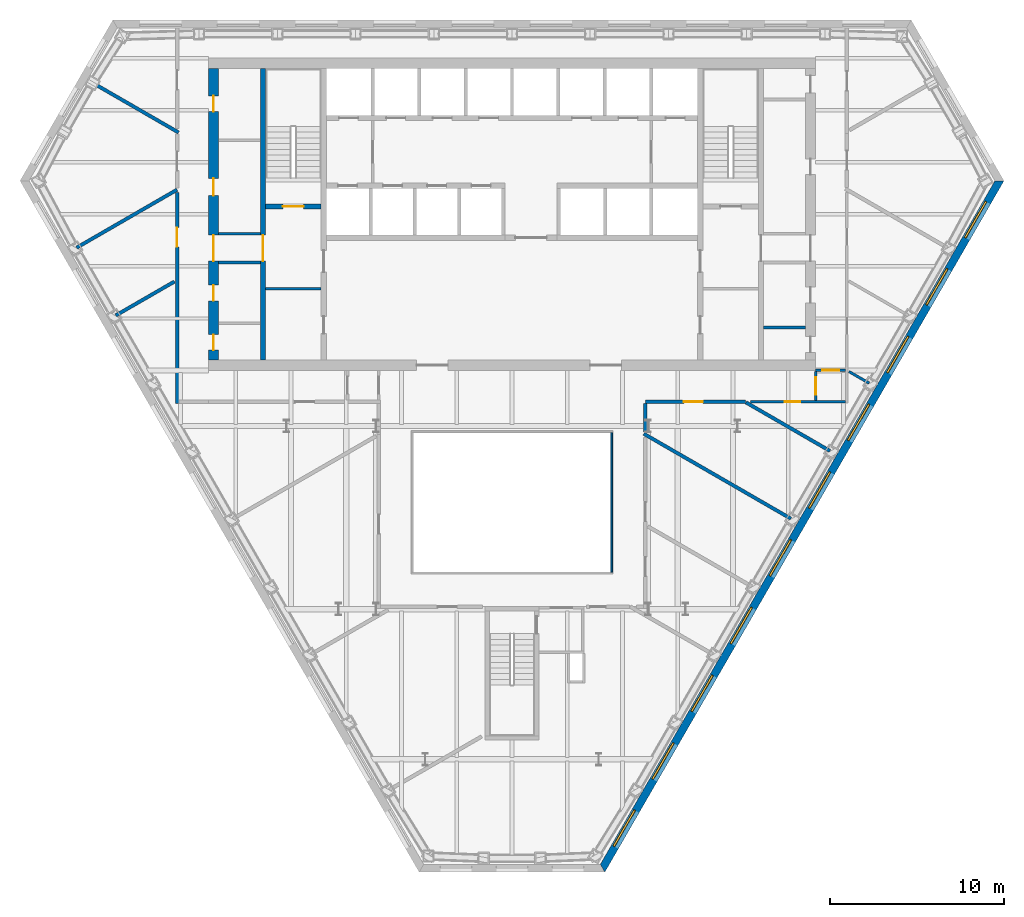
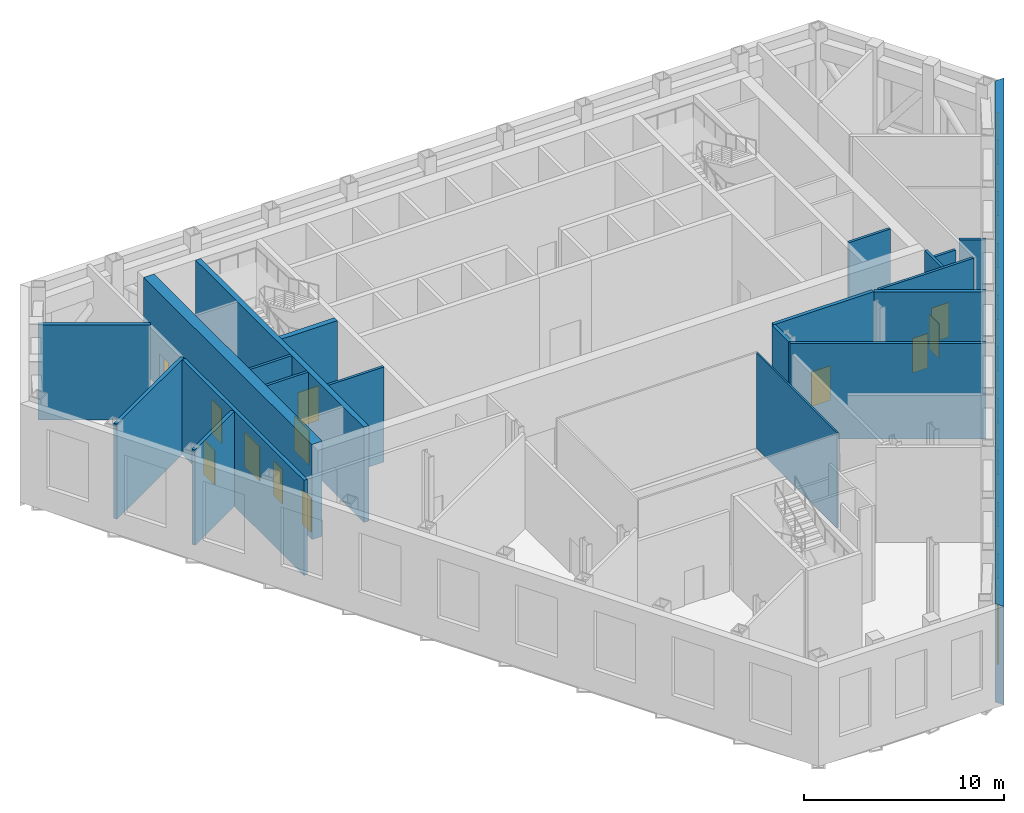
# One storey, part 8 of 14: 21 walls, 12 doors, 10 shading devices, 22 openings.
"""IFC4 building model written with IfcOpenShell, lengths in metres."""

from ifc_helpers import new_model, si_unit, direction, frame, frame_2d, origin, place, context, subcontext, project, spatial, polyline, rectangle, outline, extrude, material, layer, layer_set, type_object, element, fill, save


model = new_model("IFC4")

# Units and contexts
model_context = context("Model", 3, precision=1e-05, world=origin(), true_north=direction((0.0, 1.0)))
body_context = subcontext(model_context, "Body", "Model", "MODEL_VIEW")
ifc_project = project(units=[si_unit("LENGTHUNIT", "METRE"), si_unit("AREAUNIT", "SQUARE_METRE"), si_unit("VOLUMEUNIT", "CUBIC_METRE"), si_unit("PLANEANGLEUNIT", "RADIAN"), si_unit("MASSUNIT", "GRAM", prefix="KILO")], contexts=[model_context])

# Site, building, storey
site_placement = place(None, origin())
site = spatial("IfcSite", under=ifc_project, at=site_placement, CompositionType="ELEMENT")
building_placement = place(site_placement, origin())
building = spatial("IfcBuilding", under=site, at=building_placement, Name="Njiva Tower", CompositionType="ELEMENT")
storey_placement = place(building_placement, frame((0.0, 0.0, 78.3)))
storey = spatial("IfcBuildingStorey", under=building, at=storey_placement, Name="L16", CompositionType="ELEMENT", Elevation=78.3)

# Wall
ifc_material_1 = material(Name="Blockwork", Category="masonry")
ifc_layer_1 = layer(ifc_material_1, 0.15)
ifc_layer_set_1 = layer_set([ifc_layer_1], Name="Blockwork")
wall_type_1 = type_object("IfcWallType", Name="WT1 Compartment partition 150", PredefinedType="PARTITIONING", material=ifc_layer_set_1)
wall_1_placement = place(storey_placement, frame((-14.2, 4.725, 0.0), z_axis=(0.0, 0.0, 1.0), x_axis=(1.0, 0.0, 0.0)))
element("IfcWall", 1, at=wall_1_placement, inside=storey, type_object=wall_type_1, Name="Room wall A", PredefinedType="PARTITIONING", context=body_context, shape_type="SweptSolid", body=[
    extrude(rectangle(XDim=3.2, YDim=0.15, at=frame_2d((1.6, 0.0))), origin(), (0.0, 0.0, 1.0), 5.8),
])

# Wall, opening, door
ifc_material_2 = material(Name="Concrete C40/50", Category="concrete")
ifc_layer_2 = layer(ifc_material_2, 0.3)
ifc_layer_set_2 = layer_set([ifc_layer_2], Name="Concrete C40/50")
wall_type_2 = type_object("IfcWallType", Name="WT10 Stair enclosure wall 300", PredefinedType="SHEAR", material=ifc_layer_set_2)
wall_2_placement = place(storey_placement, frame((-14.35, 0.6, 0.0), z_axis=(0.0, 0.0, 1.0), x_axis=(0.0, 1.0, 0.0)))
wall_2 = element("IfcWall", 2, at=wall_2_placement, inside=storey, type_object=wall_type_2, Name="Stair wall west outer", PredefinedType="SHEAR", context=body_context, shape_type="SweptSolid", body=[
    extrude(rectangle(XDim=16.8, YDim=0.3, at=frame_2d((8.4, 0.0))), origin(), (0.0, 0.0, 1.0), 5.8),
])
opening_1_placement = place(wall_2_placement, frame((5.7, 0.0, 0.0)))
opening_1 = element("IfcOpeningElement", 3, at=opening_1_placement, cuts=wall_2, Name="Opening T1-D920", PredefinedType="OPENING", context=body_context, shape_type="SweptSolid", body=[
    extrude(rectangle(XDim=1.5, YDim=2.1, at=frame_2d((0.75, 1.05))), frame((0.0, 0.16, 0.0), z_axis=(0.0, -1.0, 0.0), x_axis=(1.0, 0.0, 0.0)), (0.0, 0.0, 1.0), 0.32),
])
ifc_material_3 = material(Name="Glazed steel fire door", Category="steel")
door_type_1 = type_object("IfcDoorType", Name="D10 Exit door double 1500x2100 glazed", OperationType="DOUBLE_DOOR_SINGLE_SWING", PredefinedType="DOOR", material=ifc_material_3)
door_1_placement = place(opening_1_placement, origin())
door_1 = element("IfcDoor", 4, at=door_1_placement, inside=storey, type_object=door_type_1, Name="Stair A passage door", OperationType="DOUBLE_DOOR_SINGLE_SWING", OverallHeight=2.1, OverallWidth=1.5, PredefinedType="DOOR", context=body_context, shape_type="SweptSolid", body=[
    extrude(rectangle(XDim=1.5, YDim=2.1, at=frame_2d((0.75, 1.05))), frame((0.0, 0.025, 0.0), z_axis=(0.0, -1.0, 0.0), x_axis=(1.0, 0.0, 0.0)), (0.0, 0.0, 1.0), 0.05),
])
fill(opening_1, door_1)

wall_3_placement = place(storey_placement, frame((-14.2, 9.45, 0.0), z_axis=(0.0, 0.0, 1.0), x_axis=(1.0, 0.0, 0.0)))
wall_3 = element("IfcWall", 5, at=wall_3_placement, inside=storey, type_object=wall_type_2, Name="Stair A south wall", PredefinedType="SHEAR", context=body_context, shape_type="SweptSolid", body=[
    extrude(rectangle(XDim=3.2, YDim=0.3, at=frame_2d((1.6, 0.0))), origin(), (0.0, 0.0, 1.0), 5.8),
])
opening_2_placement = place(wall_3_placement, frame((1.0, 0.0, 0.0)))
opening_2 = element("IfcOpeningElement", 6, at=opening_2_placement, cuts=wall_3, Name="Opening T1-D913", PredefinedType="OPENING", context=body_context, shape_type="SweptSolid", body=[
    extrude(rectangle(XDim=1.2, YDim=2.1, at=frame_2d((0.6, 1.05))), frame((0.0, 0.16, 0.0), z_axis=(0.0, -1.0, 0.0), x_axis=(1.0, 0.0, 0.0)), (0.0, 0.0, 1.0), 0.32),
])
door_type_2 = type_object("IfcDoorType", Name="D7 Stair vestibule door 1200x2100 glazed", OperationType="SINGLE_SWING_LEFT", PredefinedType="DOOR", material=ifc_material_3)
door_2_placement = place(opening_2_placement, origin())
door_2 = element("IfcDoor", 7, at=door_2_placement, inside=storey, type_object=door_type_2, Name="Stair A door", OperationType="SINGLE_SWING_LEFT", OverallHeight=2.1, OverallWidth=1.2, PredefinedType="DOOR", context=body_context, shape_type="SweptSolid", body=[
    extrude(rectangle(XDim=1.2, YDim=2.1, at=frame_2d((0.6, 1.05))), frame((0.0, 0.025, 0.0), z_axis=(0.0, -1.0, 0.0), x_axis=(1.0, 0.0, 0.0)), (0.0, 0.0, 1.0), 0.05),
])
fill(opening_2, door_2)

# Wall, openings, doors
ifc_material_4 = material(Name="Concrete C60/75", Category="concrete")
ifc_layer_3 = layer(ifc_material_4, 0.6)
ifc_layer_set_3 = layer_set([ifc_layer_3], Name="Concrete C60/75")
wall_type_3 = type_object("IfcWallType", Name="WT15 Core wall 600", PredefinedType="SHEAR", material=ifc_layer_set_3)
wall_4_placement = place(storey_placement, frame((-17.2, 0.6, 0.0), z_axis=(0.0, 0.0, 1.0), x_axis=(0.0, 1.0, 0.0)))
wall_4 = element("IfcWall", 8, at=wall_4_placement, inside=storey, type_object=wall_type_3, Name="Core wall west", PredefinedType="SHEAR", context=body_context, shape_type="SweptSolid", body=[
    extrude(rectangle(XDim=16.8, YDim=0.6, at=frame_2d((8.4, 0.0))), origin(), (0.0, 0.0, 1.0), 5.8),
])
opening_3_placement = place(wall_4_placement, frame((5.7, 0.0, 0.0)))
opening_3 = element("IfcOpeningElement", 9, at=opening_3_placement, cuts=wall_4, Name="Opening T1-D921", PredefinedType="OPENING", context=body_context, shape_type="SweptSolid", body=[
    extrude(rectangle(XDim=1.5, YDim=2.1, at=frame_2d((0.75, 1.05))), frame((0.0, 0.31, 0.0), z_axis=(0.0, -1.0, 0.0), x_axis=(1.0, 0.0, 0.0)), (0.0, 0.0, 1.0), 0.62),
])
opening_4_placement = place(wall_4_placement, frame((0.5713, 0.0, 0.0)))
opening_4 = element("IfcOpeningElement", 10, at=opening_4_placement, cuts=wall_4, Name="Opening T1-D922", PredefinedType="OPENING", context=body_context, shape_type="SweptSolid", body=[
    extrude(rectangle(XDim=0.9, YDim=2.1, at=frame_2d((0.45, 1.05))), frame((0.0, 0.31, 0.0), z_axis=(0.0, -1.0, 0.0), x_axis=(1.0, 0.0, 0.0)), (0.0, 0.0, 1.0), 0.62),
])
opening_5_placement = place(wall_4_placement, frame((3.4213, 0.0, 0.0)))
opening_5 = element("IfcOpeningElement", 11, at=opening_5_placement, cuts=wall_4, Name="Opening T1-D923", PredefinedType="OPENING", context=body_context, shape_type="SweptSolid", body=[
    extrude(rectangle(XDim=0.9, YDim=2.1, at=frame_2d((0.45, 1.05))), frame((0.0, 0.31, 0.0), z_axis=(0.0, -1.0, 0.0), x_axis=(1.0, 0.0, 0.0)), (0.0, 0.0, 1.0), 0.62),
])
opening_6_placement = place(wall_4_placement, frame((9.4731, 0.0, 0.0)))
opening_6 = element("IfcOpeningElement", 12, at=opening_6_placement, cuts=wall_4, Name="Opening T1-D924", PredefinedType="OPENING", context=body_context, shape_type="SweptSolid", body=[
    extrude(rectangle(XDim=1.0, YDim=2.1, at=frame_2d((0.5, 1.05))), frame((0.0, 0.31, 0.0), z_axis=(0.0, -1.0, 0.0), x_axis=(1.0, 0.0, 0.0)), (0.0, 0.0, 1.0), 0.62),
])
opening_7_placement = place(wall_4_placement, frame((14.3231, 0.0, 0.0)))
opening_7 = element("IfcOpeningElement", 13, at=opening_7_placement, cuts=wall_4, Name="Opening T1-D925", PredefinedType="OPENING", context=body_context, shape_type="SweptSolid", body=[
    extrude(rectangle(XDim=0.9, YDim=2.1, at=frame_2d((0.45, 1.05))), frame((0.0, 0.31, 0.0), z_axis=(0.0, -1.0, 0.0), x_axis=(1.0, 0.0, 0.0)), (0.0, 0.0, 1.0), 0.62),
])
door_3_placement = place(opening_3_placement, origin())
door_3 = element("IfcDoor", 14, at=door_3_placement, inside=storey, type_object=door_type_1, Name="Stair A corridor door", OperationType="DOUBLE_DOOR_SINGLE_SWING", OverallHeight=2.1, OverallWidth=1.5, PredefinedType="DOOR", context=body_context, shape_type="SweptSolid", body=[
    extrude(rectangle(XDim=1.5, YDim=2.1, at=frame_2d((0.75, 1.05))), frame((0.0, 0.025, 0.0), z_axis=(0.0, -1.0, 0.0), x_axis=(1.0, 0.0, 0.0)), (0.0, 0.0, 1.0), 0.05),
])
fill(opening_3, door_3)
ifc_material_5 = material(Name="Steel door, painted", Category="steel")
door_type_3 = type_object("IfcDoorType", Name="D4 Riser door 900x2100", OperationType="SINGLE_SWING_LEFT", PredefinedType="DOOR", material=ifc_material_5)
door_4_placement = place(opening_7_placement, origin())
door_4 = element("IfcDoor", 15, at=door_4_placement, inside=storey, type_object=door_type_3, Name="Mechanical riser door", OperationType="SINGLE_SWING_LEFT", OverallHeight=2.1, OverallWidth=0.9, PredefinedType="DOOR", context=body_context, shape_type="SweptSolid", body=[
    extrude(rectangle(XDim=0.9, YDim=2.1, at=frame_2d((0.45, 1.05))), frame((0.0, 0.025, 0.0), z_axis=(0.0, -1.0, 0.0), x_axis=(1.0, 0.0, 0.0)), (0.0, 0.0, 1.0), 0.05),
])
fill(opening_7, door_4)
door_type_4 = type_object("IfcDoorType", Name="D5 Steel door 1000x2100", OperationType="SINGLE_SWING_LEFT", PredefinedType="DOOR", material=ifc_material_5)
door_5_placement = place(opening_6_placement, origin())
door_5 = element("IfcDoor", 16, at=door_5_placement, inside=storey, type_object=door_type_4, Name="Electrical plant room door", OperationType="SINGLE_SWING_RIGHT", OverallHeight=2.1, OverallWidth=1.0, PredefinedType="DOOR", context=body_context, shape_type="SweptSolid", body=[
    extrude(rectangle(XDim=1.0, YDim=2.1, at=frame_2d((0.5, 1.05))), frame((0.0, 0.025, 0.0), z_axis=(0.0, -1.0, 0.0), x_axis=(1.0, 0.0, 0.0)), (0.0, 0.0, 1.0), 0.05),
])
fill(opening_6, door_5)
ifc_material_6 = material(Name="Steel fire door, painted", Category="steel")
door_type_5 = type_object("IfcDoorType", Name="D6 Fire-rated door 900x2100", OperationType="SINGLE_SWING_LEFT", PredefinedType="DOOR", material=ifc_material_6)
door_6_placement = place(opening_4_placement, origin())
door_6 = element("IfcDoor", 17, at=door_6_placement, inside=storey, type_object=door_type_5, Name="Cable plant store door", OperationType="SINGLE_SWING_LEFT", OverallHeight=2.1, OverallWidth=0.9, PredefinedType="DOOR", context=body_context, shape_type="SweptSolid", body=[
    extrude(rectangle(XDim=0.9, YDim=2.1, at=frame_2d((0.45, 1.05))), frame((0.0, 0.025, 0.0), z_axis=(0.0, -1.0, 0.0), x_axis=(1.0, 0.0, 0.0)), (0.0, 0.0, 1.0), 0.05),
])
fill(opening_4, door_6)
door_7_placement = place(opening_5_placement, origin())
door_7 = element("IfcDoor", 18, at=door_7_placement, inside=storey, type_object=door_type_5, Name="Plant room door", OperationType="SINGLE_SWING_LEFT", OverallHeight=2.1, OverallWidth=0.9, PredefinedType="DOOR", context=body_context, shape_type="SweptSolid", body=[
    extrude(rectangle(XDim=0.9, YDim=2.1, at=frame_2d((0.45, 1.05))), frame((0.0, 0.025, 0.0), z_axis=(0.0, -1.0, 0.0), x_axis=(1.0, 0.0, 0.0)), (0.0, 0.0, 1.0), 0.05),
])
fill(opening_5, door_7)

# Wall, opening, door
ifc_material_7 = material(Name="Gypsum board on steel studs", Category="gypsum")
ifc_layer_4 = layer(ifc_material_7, 0.15)
ifc_layer_set_4 = layer_set([ifc_layer_4], Name="Gypsum board on steel studs")
wall_type_4 = type_object("IfcWallType", Name="WT21 Compartment wall 150", PredefinedType="PARTITIONING", material=ifc_layer_set_4)
wall_5_placement = place(storey_placement, frame((17.5, -1.725, 0.0), z_axis=(0.0, 0.0, 1.0), x_axis=(0.0, 1.0, 0.0)))
wall_5 = element("IfcWall", 19, at=wall_5_placement, inside=storey, type_object=wall_type_4, Name="Partition T1-P028", PredefinedType="PARTITIONING", context=body_context, shape_type="SweptSolid", body=[
    extrude(rectangle(XDim=1.662, YDim=0.15, at=frame_2d((0.831, 0.0))), origin(), (0.0, 0.0, 1.0), 5.8),
])
opening_8_placement = place(wall_5_placement, frame((0.331, 0.0, 0.0)))
opening_8 = element("IfcOpeningElement", 20, at=opening_8_placement, cuts=wall_5, Name="Opening T1-D014", PredefinedType="OPENING", context=body_context, shape_type="SweptSolid", body=[
    extrude(rectangle(XDim=1.0, YDim=2.1, at=frame_2d((0.5, 1.05))), frame((0.0, 0.085, 0.0), z_axis=(0.0, -1.0, 0.0), x_axis=(1.0, 0.0, 0.0)), (0.0, 0.0, 1.0), 0.17),
])
ifc_material_8 = material(Name="Steel fire door set", Category="steel")
door_type_6 = type_object("IfcDoorType", Name="D37 Fire door 1000x2100", OperationType="SINGLE_SWING_LEFT", PredefinedType="DOOR", material=ifc_material_8)
door_8_placement = place(opening_8_placement, origin())
door_8 = element("IfcDoor", 21, at=door_8_placement, inside=storey, type_object=door_type_6, Name="Door T1-D014", OperationType="SINGLE_SWING_RIGHT", OverallHeight=2.1, OverallWidth=1.0, PredefinedType="DOOR", context=body_context, shape_type="SweptSolid", body=[
    extrude(rectangle(XDim=1.0, YDim=2.1, at=frame_2d((0.5, 1.05))), frame((0.0, 0.025, 0.0), z_axis=(0.0, -1.0, 0.0), x_axis=(1.0, 0.0, 0.0)), (0.0, 0.0, 1.0), 0.05),
])
fill(opening_8, door_8)

wall_6_placement = place(storey_placement, frame((17.5, 0.012, 0.0), z_axis=(0.0, 0.0, 1.0), x_axis=(1.0, 0.0, 0.0)))
wall_6 = element("IfcWall", 22, at=wall_6_placement, inside=storey, type_object=wall_type_4, Name="Partition T1-P029", PredefinedType="PARTITIONING", context=body_context, shape_type="SweptSolid", body=[
    extrude(rectangle(XDim=1.725, YDim=0.15, at=frame_2d((0.8625, 0.0))), origin(), (0.0, 0.0, 1.0), 5.2),
])
opening_9_placement = place(wall_6_placement, frame((0.363, 0.0, 0.0)))
opening_9 = element("IfcOpeningElement", 23, at=opening_9_placement, cuts=wall_6, Name="Opening T1-D015", PredefinedType="OPENING", context=body_context, shape_type="SweptSolid", body=[
    extrude(rectangle(XDim=1.0, YDim=2.1, at=frame_2d((0.5, 1.05))), frame((0.0, 0.085, 0.0), z_axis=(0.0, -1.0, 0.0), x_axis=(1.0, 0.0, 0.0)), (0.0, 0.0, 1.0), 0.17),
])
door_9_placement = place(opening_9_placement, origin())
door_9 = element("IfcDoor", 24, at=door_9_placement, inside=storey, type_object=door_type_6, Name="Door T1-D015", OperationType="SINGLE_SWING_LEFT", OverallHeight=2.1, OverallWidth=1.0, PredefinedType="DOOR", context=body_context, shape_type="SweptSolid", body=[
    extrude(rectangle(XDim=1.0, YDim=2.1, at=frame_2d((0.5, 1.05))), frame((0.0, 0.025, 0.0), z_axis=(0.0, -1.0, 0.0), x_axis=(1.0, 0.0, 0.0)), (0.0, 0.0, 1.0), 0.05),
])
fill(opening_9, door_9)

# Wall
ifc_layer_5 = layer(ifc_material_1, 0.2)
ifc_layer_set_5 = layer_set([ifc_layer_5], Name="Blockwork")
wall_type_5 = type_object("IfcWallType", Name="WT22 Plant room wall 200", PredefinedType="PARTITIONING", material=ifc_layer_set_5)
wall_7_placement = place(storey_placement, frame((-22.832, 3.176, 0.0), z_axis=(0.0, 0.0, 1.0), x_axis=(0.86609177584, 0.499885022602, 0.0)))
element("IfcWall", 25, at=wall_7_placement, inside=storey, type_object=wall_type_5, Name="Partition T1-P003", PredefinedType="PARTITIONING", context=body_context, shape_type="SweptSolid", body=[
    extrude(rectangle(XDim=3.9049, YDim=0.2, at=frame_2d((1.9524, 0.0))), origin(), (0.0, 0.0, 1.0), 5.8),
])

# Wall, opening, door
wall_8_placement = place(storey_placement, frame((-19.3, -1.899, 0.0), z_axis=(0.0, 0.0, 1.0), x_axis=(0.0, 1.0, 0.0)))
wall_8 = element("IfcWall", 26, at=wall_8_placement, inside=storey, type_object=wall_type_5, Name="Partition T1-P004", PredefinedType="PARTITIONING", context=body_context, shape_type="SweptSolid", body=[
    extrude(rectangle(XDim=12.147, YDim=0.2, at=frame_2d((6.0735, 0.0))), origin(), (0.0, 0.0, 1.0), 5.8),
])
opening_10_placement = place(wall_8_placement, frame((9.03, 0.0, 0.0)))
opening_10 = element("IfcOpeningElement", 27, at=opening_10_placement, cuts=wall_8, Name="Opening T1-D001", PredefinedType="OPENING", context=body_context, shape_type="SweptSolid", body=[
    extrude(rectangle(XDim=1.1, YDim=2.1, at=frame_2d((0.55, 1.05))), frame((0.0, 0.11, 0.0), z_axis=(0.0, -1.0, 0.0), x_axis=(1.0, 0.0, 0.0)), (0.0, 0.0, 1.0), 0.22),
])
ifc_material_9 = material(Name="Steel door set", Category="steel")
door_type_7 = type_object("IfcDoorType", Name="D34 Plant door 1100x2100", OperationType="SINGLE_SWING_LEFT", PredefinedType="DOOR", material=ifc_material_9)
door_10_placement = place(opening_10_placement, origin())
door_10 = element("IfcDoor", 28, at=door_10_placement, inside=storey, type_object=door_type_7, Name="Door T1-D001", OperationType="SINGLE_SWING_LEFT", OverallHeight=2.1, OverallWidth=1.1, PredefinedType="DOOR", context=body_context, shape_type="SweptSolid", body=[
    extrude(rectangle(XDim=1.1, YDim=2.1, at=frame_2d((0.55, 1.05))), frame((0.0, 0.025, 0.0), z_axis=(0.0, -1.0, 0.0), x_axis=(1.0, 0.0, 0.0)), (0.0, 0.0, 1.0), 0.05),
])
fill(opening_10, door_10)

# Walls
ifc_layer_6 = layer(ifc_material_1, 0.2)
ifc_layer_set_6 = layer_set([ifc_layer_6], Name="Blockwork")
wall_type_6 = type_object("IfcWallType", Name="WT23 Refuge wall 200", PredefinedType="PARTITIONING", material=ifc_layer_set_6)
wall_9_placement = place(storey_placement, frame((-25.086, 7.081, 0.0), z_axis=(0.0, 0.0, 1.0), x_axis=(0.866023543838, 0.500003221507, 0.0)))
element("IfcWall", 29, at=wall_9_placement, inside=storey, type_object=wall_type_6, Name="Partition T1-P001", PredefinedType="PARTITIONING", context=body_context, shape_type="SweptSolid", body=[
    extrude(rectangle(XDim=6.68, YDim=0.2, at=frame_2d((3.34, 0.0))), origin(), (0.0, 0.0, 1.0), 5.8),
])
wall_10_placement = place(storey_placement, frame((-24.081, 16.528, 0.0), z_axis=(0.0, 0.0, 1.0), x_axis=(0.866144113061, -0.499794333112, 0.0)))
element("IfcWall", 30, at=wall_10_placement, inside=storey, type_object=wall_type_6, Name="Partition T1-P002", PredefinedType="PARTITIONING", context=body_context, shape_type="SweptSolid", body=[
    extrude(rectangle(XDim=5.6203, YDim=0.2, at=frame_2d((2.8102, 0.0))), origin(), (0.0, 0.0, 1.0), 5.8),
])
wall_11_placement = place(storey_placement, frame((7.593, -3.641, 0.0), z_axis=(0.0, 0.0, 1.0), x_axis=(0.866059708757, -0.499940577336, 0.0)))
element("IfcWall", 31, at=wall_11_placement, inside=storey, type_object=wall_type_6, Name="Partition T1-P021", PredefinedType="PARTITIONING", context=body_context, shape_type="SweptSolid", body=[
    extrude(rectangle(XDim=9.7892, YDim=0.2, at=frame_2d((4.8946, 0.0))), origin(), (0.0, 0.0, 1.0), 5.8),
])
wall_12_placement = place(storey_placement, frame((7.68, -3.554, 0.0), z_axis=(0.0, 0.0, 1.0), x_axis=(0.0, 1.0, 0.0)))
element("IfcWall", 32, at=wall_12_placement, inside=storey, type_object=wall_type_6, Name="Partition T1-P023", PredefinedType="PARTITIONING", context=body_context, shape_type="SweptSolid", body=[
    extrude(rectangle(XDim=1.654, YDim=0.2, at=frame_2d((0.827, 0.0))), origin(), (0.0, 0.0, 1.0), 5.8),
])

# Wall, opening, door
wall_13_placement = place(storey_placement, frame((7.68, -1.8, 0.0), z_axis=(0.0, 0.0, 1.0), x_axis=(1.0, 0.0, 0.0)))
wall_13 = element("IfcWall", 33, at=wall_13_placement, inside=storey, type_object=wall_type_6, Name="Partition T1-P024", PredefinedType="PARTITIONING", context=body_context, shape_type="SweptSolid", body=[
    extrude(rectangle(XDim=5.763, YDim=0.2, at=frame_2d((2.8815, 0.0))), origin(), (0.0, 0.0, 1.0), 5.8),
])
opening_11_placement = place(wall_13_placement, frame((2.219, 0.0, 0.0)))
opening_11 = element("IfcOpeningElement", 34, at=opening_11_placement, cuts=wall_13, Name="Opening T1-D012", PredefinedType="OPENING", context=body_context, shape_type="SweptSolid", body=[
    extrude(rectangle(XDim=1.1, YDim=2.1, at=frame_2d((0.55, 1.05))), frame((0.0, 0.11, 0.0), z_axis=(0.0, -1.0, 0.0), x_axis=(1.0, 0.0, 0.0)), (0.0, 0.0, 1.0), 0.22),
])
door_type_8 = type_object("IfcDoorType", Name="D35 Refuge door 1100x2100", OperationType="SINGLE_SWING_LEFT", PredefinedType="DOOR", material=ifc_material_9)
door_11_placement = place(opening_11_placement, origin())
door_11 = element("IfcDoor", 35, at=door_11_placement, inside=storey, type_object=door_type_8, Name="Door T1-D012", OperationType="SINGLE_SWING_LEFT", OverallHeight=2.1, OverallWidth=1.1, PredefinedType="DOOR", context=body_context, shape_type="SweptSolid", body=[
    extrude(rectangle(XDim=1.1, YDim=2.1, at=frame_2d((0.55, 1.05))), frame((0.0, 0.025, 0.0), z_axis=(0.0, -1.0, 0.0), x_axis=(1.0, 0.0, 0.0)), (0.0, 0.0, 1.0), 0.05),
])
fill(opening_11, door_11)

# Wall
wall_14_placement = place(storey_placement, frame((13.481, -1.835, 0.0), z_axis=(0.0, 0.0, 1.0), x_axis=(0.865956282224, -0.500119702949, 0.0)))
element("IfcWall", 36, at=wall_14_placement, inside=storey, type_object=wall_type_6, Name="Partition T1-P026", PredefinedType="PARTITIONING", context=body_context, shape_type="SweptSolid", body=[
    extrude(rectangle(XDim=5.5927, YDim=0.2, at=frame_2d((2.7964, 0.0))), origin(), (0.0, 0.0, 1.0), 5.8),
])

# Wall, opening, door
ifc_layer_7 = layer(ifc_material_7, 0.15)
ifc_layer_set_7 = layer_set([ifc_layer_7], Name="Gypsum board on steel studs")
wall_type_7 = type_object("IfcWallType", Name="WT24 Riser room wall 150", PredefinedType="PARTITIONING", material=ifc_layer_set_7)
wall_15_placement = place(storey_placement, frame((13.75, -1.8, 0.0), z_axis=(0.0, 0.0, 1.0), x_axis=(1.0, 0.0, 0.0)))
wall_15 = element("IfcWall", 37, at=wall_15_placement, inside=storey, type_object=wall_type_7, Name="Partition T1-P027", PredefinedType="PARTITIONING", context=body_context, shape_type="SweptSolid", body=[
    extrude(rectangle(XDim=5.475, YDim=0.15, at=frame_2d((2.7375, 0.0))), origin(), (0.0, 0.0, 1.0), 5.8),
])
opening_12_placement = place(wall_15_placement, frame((1.959, 0.0, 0.0)))
opening_12 = element("IfcOpeningElement", 38, at=opening_12_placement, cuts=wall_15, Name="Opening T1-D013", PredefinedType="OPENING", context=body_context, shape_type="SweptSolid", body=[
    extrude(rectangle(XDim=0.9, YDim=2.1, at=frame_2d((0.45, 1.05))), frame((0.0, 0.085, 0.0), z_axis=(0.0, -1.0, 0.0), x_axis=(1.0, 0.0, 0.0)), (0.0, 0.0, 1.0), 0.17),
])
door_type_9 = type_object("IfcDoorType", Name="D36 Fire door 900x2100", OperationType="SINGLE_SWING_LEFT", PredefinedType="DOOR", material=ifc_material_8)
door_12_placement = place(opening_12_placement, origin())
door_12 = element("IfcDoor", 39, at=door_12_placement, inside=storey, type_object=door_type_9, Name="Door T1-D013", OperationType="SINGLE_SWING_LEFT", OverallHeight=2.1, OverallWidth=0.9, PredefinedType="DOOR", context=body_context, shape_type="SweptSolid", body=[
    extrude(rectangle(XDim=0.9, YDim=2.1, at=frame_2d((0.45, 1.05))), frame((0.0, 0.025, 0.0), z_axis=(0.0, -1.0, 0.0), x_axis=(1.0, 0.0, 0.0)), (0.0, 0.0, 1.0), 0.05),
])
fill(opening_12, door_12)

# Walls
wall_16_placement = place(storey_placement, frame((19.412, -0.055, 0.0), z_axis=(0.0, 0.0, 1.0), x_axis=(0.866408170701, -0.499336441433, 0.0)))
element("IfcWall", 40, at=wall_16_placement, inside=storey, type_object=wall_type_7, Name="Partition T1-P034", PredefinedType="PARTITIONING", context=body_context, shape_type="SweptSolid", body=[
    extrude(rectangle(XDim=1.3458, YDim=0.15, at=frame_2d((0.6729, 0.0))), origin(), (0.0, 0.0, 1.0), 5.8),
])
ifc_layer_8 = layer(ifc_material_1, 0.15)
ifc_layer_set_8 = layer_set([ifc_layer_8], Name="Blockwork")
wall_type_8 = type_object("IfcWallType", Name="WT3 Riser partition 150", PredefinedType="PARTITIONING", material=ifc_layer_set_8)
wall_17_placement = place(storey_placement, frame((14.5, 2.4794, 0.0), z_axis=(0.0, 0.0, 1.0), x_axis=(1.0, 0.0, 0.0)))
element("IfcWall", 41, at=wall_17_placement, inside=storey, type_object=wall_type_8, Name="Partition strip E00", PredefinedType="PARTITIONING", context=body_context, shape_type="SweptSolid", body=[
    extrude(rectangle(XDim=2.4, YDim=0.15, at=frame_2d((1.2, 0.0))), origin(), (0.0, 0.0, 1.0), 5.8),
])
ifc_layer_9 = layer(ifc_material_1, 0.15)
ifc_layer_set_9 = layer_set([ifc_layer_9], Name="Blockwork")
wall_type_9 = type_object("IfcWallType", Name="WT4 Stair partition 150", PredefinedType="PARTITIONING", material=ifc_layer_set_9)
for number, where, z_axis, x_axis, name in (
    (42, (-16.9, 6.225, 0.0), (0.0, 0.0, 1.0), (1.0, 0.0, 0.0), "Stair A exit passage wall south"),
    (43, (-16.9, 7.875, 0.0), (0.0, 0.0, 1.0), (1.0, 0.0, 0.0), "Stair A exit passage wall north"),
):
    element("IfcWall", number, at=place(storey_placement, frame(where, z_axis=z_axis, x_axis=x_axis)), inside=storey, type_object=wall_type_9, Name=name, PredefinedType="PARTITIONING", context=body_context, shape_type="SweptSolid", body=[
        extrude(rectangle(XDim=2.4, YDim=0.15, at=frame_2d((1.2, 0.0))), origin(), (0.0, 0.0, 1.0), 5.8),
    ])

# Wall, openings, shading devices
ifc_material_10 = material(Name="Brick masonry, buff", Category="masonry")
ifc_layer_10 = layer(ifc_material_10, 0.45)
ifc_layer_set_10 = layer_set([ifc_layer_10], Name="Brick masonry, buff")
wall_type_10 = type_object("IfcWallType", Name="WT94 Brick pier and spandrel wall 450, buff", PredefinedType="SOLIDWALL", material=ifc_layer_set_10)
wall_18_placement = place(storey_placement, frame((5.2201, -28.6786, -0.18), z_axis=(0.0, 0.0, 1.0), x_axis=(0.500000711659, 0.866024992908, 0.0)))
wall_18 = element("IfcWall", 44, at=wall_18_placement, inside=storey, type_object=wall_type_10, Name="Facade wall SE", PredefinedType="SOLIDWALL", context=body_context, shape_type="SweptSolid", body=[
    extrude(outline(polyline([(-0.1299, -0.225), (45.87, -0.225), (45.6102, 0.225), (0.1299, 0.225), (-0.1299, -0.225)])), origin(), (0.0, 0.0, 1.0), 6.0),
])
opening_13_placement = place(wall_18_placement, frame((1.4242, 0.0, 1.38)))
opening_13 = element("IfcOpeningElement", 45, at=opening_13_placement, cuts=wall_18, Name="Opening T1-LV27", PredefinedType="OPENING", context=body_context, shape_type="SweptSolid", body=[
    extrude(rectangle(XDim=2.4, YDim=3.6, at=frame_2d((1.2, 1.8))), frame((0.0, 0.235, 0.0), z_axis=(0.0, -1.0, 0.0), x_axis=(1.0, 0.0, 0.0)), (0.0, 0.0, 1.0), 0.47),
])
opening_14_placement = place(wall_18_placement, frame((5.8934, 0.0, 1.38)))
opening_14 = element("IfcOpeningElement", 46, at=opening_14_placement, cuts=wall_18, Name="Opening T1-LV28", PredefinedType="OPENING", context=body_context, shape_type="SweptSolid", body=[
    extrude(rectangle(XDim=2.4, YDim=3.6, at=frame_2d((1.2, 1.8))), frame((0.0, 0.235, 0.0), z_axis=(0.0, -1.0, 0.0), x_axis=(1.0, 0.0, 0.0)), (0.0, 0.0, 1.0), 0.47),
])
opening_15_placement = place(wall_18_placement, frame((10.401, 0.0, 1.38)))
opening_15 = element("IfcOpeningElement", 47, at=opening_15_placement, cuts=wall_18, Name="Opening T1-LV29", PredefinedType="OPENING", context=body_context, shape_type="SweptSolid", body=[
    extrude(rectangle(XDim=2.4, YDim=3.6, at=frame_2d((1.2, 1.8))), frame((0.0, 0.235, 0.0), z_axis=(0.0, -1.0, 0.0), x_axis=(1.0, 0.0, 0.0)), (0.0, 0.0, 1.0), 0.47),
])
opening_16_placement = place(wall_18_placement, frame((14.9087, 0.0, 1.38)))
opening_16 = element("IfcOpeningElement", 48, at=opening_16_placement, cuts=wall_18, Name="Opening T1-LV30", PredefinedType="OPENING", context=body_context, shape_type="SweptSolid", body=[
    extrude(rectangle(XDim=2.4, YDim=3.6, at=frame_2d((1.2, 1.8))), frame((0.0, 0.235, 0.0), z_axis=(0.0, -1.0, 0.0), x_axis=(1.0, 0.0, 0.0)), (0.0, 0.0, 1.0), 0.47),
])
opening_17_placement = place(wall_18_placement, frame((19.4163, 0.0, 1.38)))
opening_17 = element("IfcOpeningElement", 49, at=opening_17_placement, cuts=wall_18, Name="Opening T1-LV31", PredefinedType="OPENING", context=body_context, shape_type="SweptSolid", body=[
    extrude(rectangle(XDim=2.4, YDim=3.6, at=frame_2d((1.2, 1.8))), frame((0.0, 0.235, 0.0), z_axis=(0.0, -1.0, 0.0), x_axis=(1.0, 0.0, 0.0)), (0.0, 0.0, 1.0), 0.47),
])
opening_18_placement = place(wall_18_placement, frame((23.9239, 0.0, 1.38)))
opening_18 = element("IfcOpeningElement", 50, at=opening_18_placement, cuts=wall_18, Name="Opening T1-LV32", PredefinedType="OPENING", context=body_context, shape_type="SweptSolid", body=[
    extrude(rectangle(XDim=2.4, YDim=3.6, at=frame_2d((1.2, 1.8))), frame((0.0, 0.235, 0.0), z_axis=(0.0, -1.0, 0.0), x_axis=(1.0, 0.0, 0.0)), (0.0, 0.0, 1.0), 0.47),
])
opening_19_placement = place(wall_18_placement, frame((28.4315, 0.0, 1.38)))
opening_19 = element("IfcOpeningElement", 51, at=opening_19_placement, cuts=wall_18, Name="Opening T1-LV33", PredefinedType="OPENING", context=body_context, shape_type="SweptSolid", body=[
    extrude(rectangle(XDim=2.4, YDim=3.6, at=frame_2d((1.2, 1.8))), frame((0.0, 0.235, 0.0), z_axis=(0.0, -1.0, 0.0), x_axis=(1.0, 0.0, 0.0)), (0.0, 0.0, 1.0), 0.47),
])
opening_20_placement = place(wall_18_placement, frame((32.9391, 0.0, 1.38)))
opening_20 = element("IfcOpeningElement", 52, at=opening_20_placement, cuts=wall_18, Name="Opening T1-LV34", PredefinedType="OPENING", context=body_context, shape_type="SweptSolid", body=[
    extrude(rectangle(XDim=2.4, YDim=3.6, at=frame_2d((1.2, 1.8))), frame((0.0, 0.235, 0.0), z_axis=(0.0, -1.0, 0.0), x_axis=(1.0, 0.0, 0.0)), (0.0, 0.0, 1.0), 0.47),
])
opening_21_placement = place(wall_18_placement, frame((37.4468, 0.0, 1.38)))
opening_21 = element("IfcOpeningElement", 53, at=opening_21_placement, cuts=wall_18, Name="Opening T1-LV35", PredefinedType="OPENING", context=body_context, shape_type="SweptSolid", body=[
    extrude(rectangle(XDim=2.4, YDim=3.6, at=frame_2d((1.2, 1.8))), frame((0.0, 0.235, 0.0), z_axis=(0.0, -1.0, 0.0), x_axis=(1.0, 0.0, 0.0)), (0.0, 0.0, 1.0), 0.47),
])
opening_22_placement = place(wall_18_placement, frame((41.916, 0.0, 1.38)))
opening_22 = element("IfcOpeningElement", 54, at=opening_22_placement, cuts=wall_18, Name="Opening T1-LV36", PredefinedType="OPENING", context=body_context, shape_type="SweptSolid", body=[
    extrude(rectangle(XDim=2.4, YDim=3.6, at=frame_2d((1.2, 1.8))), frame((0.0, 0.235, 0.0), z_axis=(0.0, -1.0, 0.0), x_axis=(1.0, 0.0, 0.0)), (0.0, 0.0, 1.0), 0.47),
])
ifc_material_11 = material(Name="Aluminium louvre blades", Category="aluminium")
shading_device_type = type_object("IfcShadingDeviceType", Name="LV1 Plant louvre 2400x3600", PredefinedType="JALOUSIE", material=ifc_material_11)
shading_device_1_placement = place(opening_13_placement, origin())
shading_device_1 = element("IfcShadingDevice", 55, at=shading_device_1_placement, inside=storey, type_object=shading_device_type, Name="Plant louvre", PredefinedType="JALOUSIE", context=body_context, shape_type="SweptSolid", body=[
    extrude(rectangle(XDim=2.4, YDim=3.6, at=frame_2d((1.2, 1.8))), frame((0.0, 0.125, 0.0), z_axis=(0.0, -1.0, 0.0), x_axis=(1.0, 0.0, 0.0)), (0.0, 0.0, 1.0), 0.1),
])
fill(opening_13, shading_device_1)
shading_device_2_placement = place(opening_14_placement, origin())
shading_device_2 = element("IfcShadingDevice", 56, at=shading_device_2_placement, inside=storey, type_object=shading_device_type, Name="Plant louvre", PredefinedType="JALOUSIE", context=body_context, shape_type="SweptSolid", body=[
    extrude(rectangle(XDim=2.4, YDim=3.6, at=frame_2d((1.2, 1.8))), frame((0.0, 0.125, 0.0), z_axis=(0.0, -1.0, 0.0), x_axis=(1.0, 0.0, 0.0)), (0.0, 0.0, 1.0), 0.1),
])
fill(opening_14, shading_device_2)
shading_device_3_placement = place(opening_15_placement, origin())
shading_device_3 = element("IfcShadingDevice", 57, at=shading_device_3_placement, inside=storey, type_object=shading_device_type, Name="Plant louvre", PredefinedType="JALOUSIE", context=body_context, shape_type="SweptSolid", body=[
    extrude(rectangle(XDim=2.4, YDim=3.6, at=frame_2d((1.2, 1.8))), frame((0.0, 0.125, 0.0), z_axis=(0.0, -1.0, 0.0), x_axis=(1.0, 0.0, 0.0)), (0.0, 0.0, 1.0), 0.1),
])
fill(opening_15, shading_device_3)
shading_device_4_placement = place(opening_16_placement, origin())
shading_device_4 = element("IfcShadingDevice", 58, at=shading_device_4_placement, inside=storey, type_object=shading_device_type, Name="Plant louvre", PredefinedType="JALOUSIE", context=body_context, shape_type="SweptSolid", body=[
    extrude(rectangle(XDim=2.4, YDim=3.6, at=frame_2d((1.2, 1.8))), frame((0.0, 0.125, 0.0), z_axis=(0.0, -1.0, 0.0), x_axis=(1.0, 0.0, 0.0)), (0.0, 0.0, 1.0), 0.1),
])
fill(opening_16, shading_device_4)
shading_device_5_placement = place(opening_17_placement, origin())
shading_device_5 = element("IfcShadingDevice", 59, at=shading_device_5_placement, inside=storey, type_object=shading_device_type, Name="Plant louvre", PredefinedType="JALOUSIE", context=body_context, shape_type="SweptSolid", body=[
    extrude(rectangle(XDim=2.4, YDim=3.6, at=frame_2d((1.2, 1.8))), frame((0.0, 0.125, 0.0), z_axis=(0.0, -1.0, 0.0), x_axis=(1.0, 0.0, 0.0)), (0.0, 0.0, 1.0), 0.1),
])
fill(opening_17, shading_device_5)
shading_device_6_placement = place(opening_18_placement, origin())
shading_device_6 = element("IfcShadingDevice", 60, at=shading_device_6_placement, inside=storey, type_object=shading_device_type, Name="Plant louvre", PredefinedType="JALOUSIE", context=body_context, shape_type="SweptSolid", body=[
    extrude(rectangle(XDim=2.4, YDim=3.6, at=frame_2d((1.2, 1.8))), frame((0.0, 0.125, 0.0), z_axis=(0.0, -1.0, 0.0), x_axis=(1.0, 0.0, 0.0)), (0.0, 0.0, 1.0), 0.1),
])
fill(opening_18, shading_device_6)
shading_device_7_placement = place(opening_19_placement, origin())
shading_device_7 = element("IfcShadingDevice", 61, at=shading_device_7_placement, inside=storey, type_object=shading_device_type, Name="Plant louvre", PredefinedType="JALOUSIE", context=body_context, shape_type="SweptSolid", body=[
    extrude(rectangle(XDim=2.4, YDim=3.6, at=frame_2d((1.2, 1.8))), frame((0.0, 0.125, 0.0), z_axis=(0.0, -1.0, 0.0), x_axis=(1.0, 0.0, 0.0)), (0.0, 0.0, 1.0), 0.1),
])
fill(opening_19, shading_device_7)
shading_device_8_placement = place(opening_20_placement, origin())
shading_device_8 = element("IfcShadingDevice", 62, at=shading_device_8_placement, inside=storey, type_object=shading_device_type, Name="Plant louvre", PredefinedType="JALOUSIE", context=body_context, shape_type="SweptSolid", body=[
    extrude(rectangle(XDim=2.4, YDim=3.6, at=frame_2d((1.2, 1.8))), frame((0.0, 0.125, 0.0), z_axis=(0.0, -1.0, 0.0), x_axis=(1.0, 0.0, 0.0)), (0.0, 0.0, 1.0), 0.1),
])
fill(opening_20, shading_device_8)
shading_device_9_placement = place(opening_21_placement, origin())
shading_device_9 = element("IfcShadingDevice", 63, at=shading_device_9_placement, inside=storey, type_object=shading_device_type, Name="Plant louvre", PredefinedType="JALOUSIE", context=body_context, shape_type="SweptSolid", body=[
    extrude(rectangle(XDim=2.4, YDim=3.6, at=frame_2d((1.2, 1.8))), frame((0.0, 0.125, 0.0), z_axis=(0.0, -1.0, 0.0), x_axis=(1.0, 0.0, 0.0)), (0.0, 0.0, 1.0), 0.1),
])
fill(opening_21, shading_device_9)
shading_device_10_placement = place(opening_22_placement, origin())
shading_device_10 = element("IfcShadingDevice", 64, at=shading_device_10_placement, inside=storey, type_object=shading_device_type, Name="Plant louvre", PredefinedType="JALOUSIE", context=body_context, shape_type="SweptSolid", body=[
    extrude(rectangle(XDim=2.4, YDim=3.6, at=frame_2d((1.2, 1.8))), frame((0.0, 0.125, 0.0), z_axis=(0.0, -1.0, 0.0), x_axis=(1.0, 0.0, 0.0)), (0.0, 0.0, 1.0), 0.1),
])
fill(opening_22, shading_device_10)

# Wall
ifc_material_12 = material(Name="Fire-resisting glazing EI 90", Category="glass")
ifc_layer_11 = layer(ifc_material_12, 0.1)
ifc_layer_set_11 = layer_set([ifc_layer_11], Name="Fire-resisting glazing EI 90")
wall_type_11 = type_object("IfcWallType", Name="WT95 Fire-resisting glazed screen EI 90", PredefinedType="PARTITIONING", material=ifc_layer_set_11)
wall_19_placement = place(storey_placement, frame((5.75, -11.62, 0.0), z_axis=(0.0, 0.0, 1.0), x_axis=(0.0, 1.0, 0.0)))
element("IfcWall", 65, at=wall_19_placement, inside=storey, type_object=wall_type_11, Name="Atrium fire screen east", PredefinedType="PARTITIONING", context=body_context, shape_type="SweptSolid", body=[
    extrude(rectangle(XDim=8.04, YDim=0.1, at=frame_2d((4.02, 0.0))), origin(), (0.0, 0.0, 1.0), 5.8),
])

save(model, "model.ifc")
